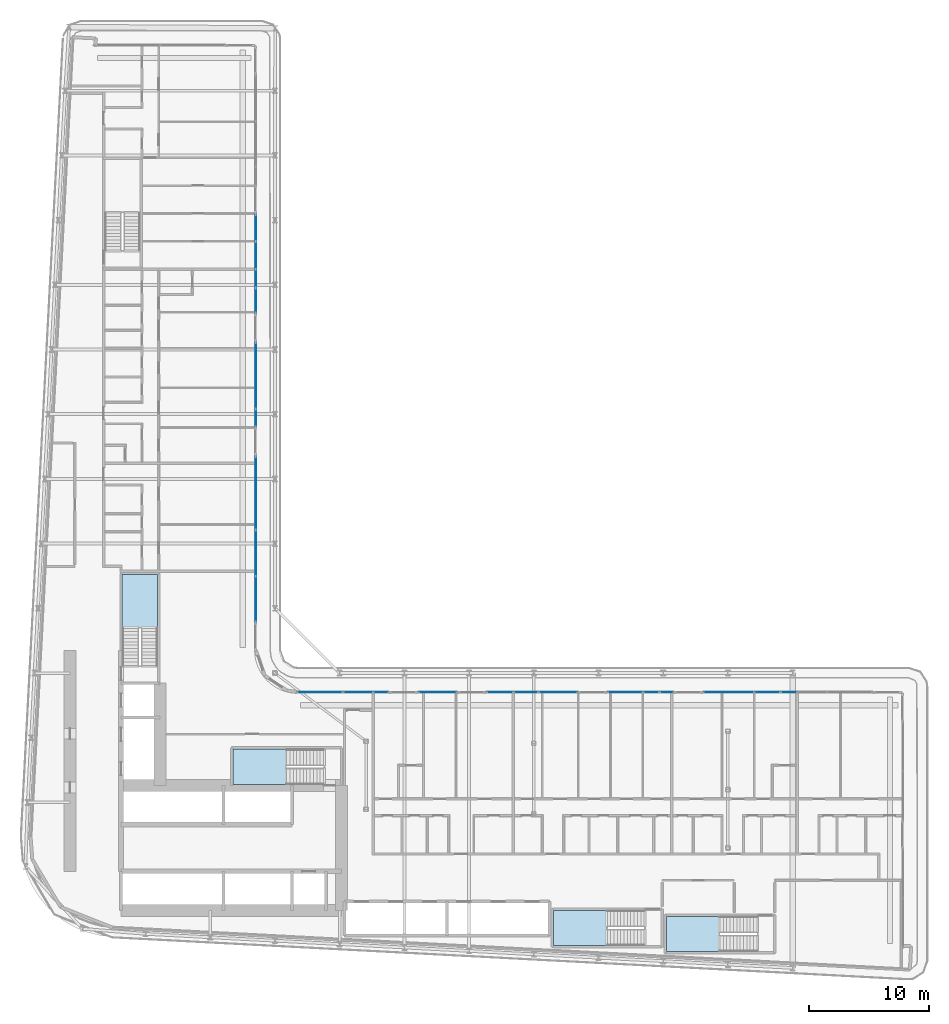
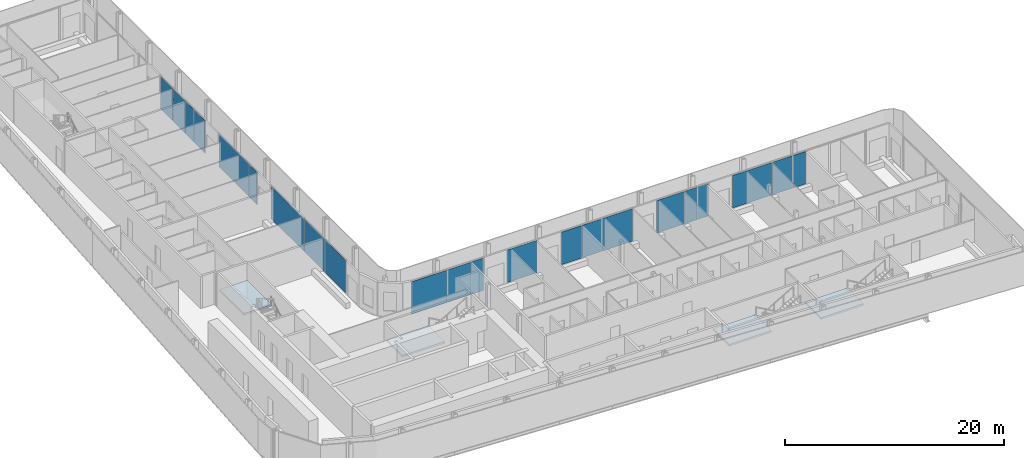
# One storey, part 10 of 28: 22 plates, 4 slabs, 18 elements without a shape of their own.
"""IFC4 building model written with IfcOpenShell, lengths in metres."""

from ifc_helpers import new_model, si_unit, direction, frame, origin, origin_2d, place, context, subcontext, project, spatial, polyline, rectangle, outline, extrude, material, layer, layer_set, type_object, element, aggregate, save


model = new_model("IFC4")

# Units and contexts
model_context = context("Model", 3, precision=1e-05, world=origin(), true_north=direction((0.0, 1.0)))
body_context = subcontext(model_context, "Body", "Model", "MODEL_VIEW")
ifc_project = project(units=[si_unit("LENGTHUNIT", "METRE"), si_unit("AREAUNIT", "SQUARE_METRE"), si_unit("VOLUMEUNIT", "CUBIC_METRE"), si_unit("PLANEANGLEUNIT", "RADIAN"), si_unit("MASSUNIT", "GRAM", prefix="KILO")], contexts=[model_context])

# Site, building, storey
site_placement = place(None, origin())
site = spatial("IfcSite", under=ifc_project, at=site_placement, CompositionType="ELEMENT")
building_placement = place(site_placement, origin())
building = spatial("IfcBuilding", under=site, at=building_placement, Name="Kheshtan School and Residences Tower", CompositionType="ELEMENT")
storey_placement = place(building_placement, frame((0.0, 0.0, 77.300048828125)))
storey = spatial("IfcBuildingStorey", under=building, at=storey_placement, Name="L18", CompositionType="ELEMENT", Elevation=77.300048828125)

# Curtain wall, plates
ifc_material_1 = material(Name="Clear low-e glass in thermally broken aluminium frame", Category="aluminium")
ifc_layer_1 = layer(ifc_material_1, 0.199951171875)
ifc_layer_set_1 = layer_set([ifc_layer_1], Name="Curtain wall CW-L")
curtain_wall_type = type_object("IfcCurtainWallType", Name="Curtain wall CW-L", PredefinedType="NOTDEFINED", material=ifc_layer_set_1)
curtain_wall_1_placement = place(storey_placement, origin())
curtain_wall_1 = element("IfcCurtainWall", 1, at=curtain_wall_1_placement, inside=storey, type_object=curtain_wall_type, Name="Curtain wall CWL8b", PredefinedType="NOTDEFINED")
ifc_layer_2 = layer(ifc_material_1, 0.031982421875)
ifc_layer_set_2 = layer_set([ifc_layer_2], Name="CW-L glass panel")
plate_type = type_object("IfcPlateType", Name="CW-L glass panel", PredefinedType="CURTAIN_PANEL", material=ifc_layer_set_2)
plate_1_placement = place(storey_placement, frame((46.0, 82.75048828125, 0.0), z_axis=(0.0, 0.0, 1.0), x_axis=(0.0, -1.0, 0.0)))
plate_1 = element("IfcPlate", 2, at=plate_1_placement, type_object=plate_type, Name="CWL8b panel 1.1", PredefinedType="CURTAIN_PANEL", context=body_context, shape_type="SweptSolid", body=[
    extrude(rectangle(XDim=2.19091796875, YDim=0.031982421875, at=origin_2d()), origin(), (0.0, 0.0, 1.0), 3.6298828125),
])
plate_2_placement = place(storey_placement, frame((46.0, 80.46240234375, 0.0), z_axis=(0.0, 0.0, 1.0), x_axis=(0.0, -1.0, 0.0)))
plate_2 = element("IfcPlate", 3, at=plate_2_placement, type_object=plate_type, Name="CWL8b panel 2.1", PredefinedType="CURTAIN_PANEL", context=body_context, shape_type="SweptSolid", body=[
    extrude(rectangle(XDim=2.264892578125, YDim=0.031982421875, at=origin_2d()), origin(), (0.0, 0.0, 1.0), 3.6298828125),
])
plate_3_placement = place(storey_placement, frame((46.0, 78.52099609375, 0.0), z_axis=(0.0, 0.0, 1.0), x_axis=(0.0, -1.0, 0.0)))
plate_3 = element("IfcPlate", 4, at=plate_3_placement, type_object=plate_type, Name="CWL8b panel 3.1", PredefinedType="CURTAIN_PANEL", context=body_context, shape_type="SweptSolid", body=[
    extrude(rectangle(XDim=1.498046875, YDim=0.031982421875, at=origin_2d()), origin(), (0.0, 0.0, 1.0), 3.6298828125),
])
aggregate(curtain_wall_1, [plate_1, plate_2, plate_3])

# Curtain wall, plate
curtain_wall_2_placement = place(storey_placement, origin())
curtain_wall_2 = element("IfcCurtainWall", 5, at=curtain_wall_2_placement, inside=storey, type_object=curtain_wall_type, Name="Curtain wall CWL8i", PredefinedType="NOTDEFINED")
plate_4_placement = place(storey_placement, frame((46.0, 76.69189453125, 0.0), z_axis=(0.0, 0.0, 1.0), x_axis=(0.0, -1.0, 0.0)))
plate_4 = element("IfcPlate", 6, at=plate_4_placement, type_object=plate_type, Name="CWL8i panel 1.1", PredefinedType="CURTAIN_PANEL", context=body_context, shape_type="SweptSolid", body=[
    extrude(rectangle(XDim=2.0400390625, YDim=0.031982421875, at=origin_2d()), origin(), (0.0, 0.0, 1.0), 3.6298828125),
])
aggregate(curtain_wall_2, [plate_4])

curtain_wall_3_placement = place(storey_placement, origin())
curtain_wall_3 = element("IfcCurtainWall", 7, at=curtain_wall_3_placement, inside=storey, type_object=curtain_wall_type, Name="Curtain wall CWL8j", PredefinedType="NOTDEFINED")
plate_5_placement = place(storey_placement, frame((46.0, 70.4150390625, 0.0), z_axis=(0.0, 0.0, 1.0), x_axis=(0.0, -1.0, 0.0)))
plate_5 = element("IfcPlate", 8, at=plate_5_placement, type_object=plate_type, Name="CWL8j panel 1.1", PredefinedType="CURTAIN_PANEL", context=body_context, shape_type="SweptSolid", body=[
    extrude(rectangle(XDim=5.47412109375, YDim=0.031982421875, at=origin_2d()), origin(), (0.0, 0.0, 1.0), 3.6298828125),
])
aggregate(curtain_wall_3, [plate_5])

curtain_wall_4_placement = place(storey_placement, origin())
curtain_wall_4 = element("IfcCurtainWall", 9, at=curtain_wall_4_placement, inside=storey, type_object=curtain_wall_type, Name="Curtain wall CWL8a", PredefinedType="NOTDEFINED")
plate_6_placement = place(storey_placement, frame((46.0, 66.89794921875, 0.0), z_axis=(0.0, 0.0, 1.0), x_axis=(0.0, -1.0, 0.0)))
plate_6 = element("IfcPlate", 10, at=plate_6_placement, type_object=plate_type, Name="CWL8a panel 1.1", PredefinedType="CURTAIN_PANEL", context=body_context, shape_type="SweptSolid", body=[
    extrude(rectangle(XDim=1.43994140625, YDim=0.031982421875, at=origin_2d()), origin(), (0.0, 0.0, 1.0), 3.6298828125),
])
aggregate(curtain_wall_4, [plate_6])

curtain_wall_5_placement = place(storey_placement, origin())
curtain_wall_5 = element("IfcCurtainWall", 11, at=curtain_wall_5_placement, inside=storey, type_object=curtain_wall_type, Name="Curtain wall CWL8d", PredefinedType="NOTDEFINED")
plate_7_placement = place(storey_placement, frame((46.0, 60.62109375, 0.0), z_axis=(0.0, 0.0, 1.0), x_axis=(0.0, -1.0, 0.0)))
plate_7 = element("IfcPlate", 12, at=plate_7_placement, type_object=plate_type, Name="CWL8d panel 1.1", PredefinedType="CURTAIN_PANEL", context=body_context, shape_type="SweptSolid", body=[
    extrude(rectangle(XDim=6.073974609375, YDim=0.031982421875, at=origin_2d()), origin(), (0.0, 0.0, 1.0), 3.6298828125),
])
aggregate(curtain_wall_5, [plate_7])

# Curtain wall, plates
curtain_wall_6_placement = place(storey_placement, origin())
curtain_wall_6 = element("IfcCurtainWall", 13, at=curtain_wall_6_placement, inside=storey, type_object=curtain_wall_type, Name="Curtain wall CWL8", PredefinedType="NOTDEFINED")
plate_8_placement = place(storey_placement, frame((46.0, 55.615478515625, 0.0), z_axis=(0.0, 0.0, 1.0), x_axis=(0.0, -1.0, 0.0)))
plate_8 = element("IfcPlate", 14, at=plate_8_placement, type_object=plate_type, Name="CWL8 panel 1.1", PredefinedType="CURTAIN_PANEL", context=body_context, shape_type="SweptSolid", body=[
    extrude(rectangle(XDim=3.81689453125, YDim=0.031982421875, at=origin_2d()), origin(), (0.0, 0.0, 1.0), 3.6298828125),
])
plate_9_placement = place(storey_placement, frame((46.0, 51.7685546875, 0.0), z_axis=(0.0, 0.0, 1.0), x_axis=(0.0, -1.0, 0.0)))
plate_9 = element("IfcPlate", 15, at=plate_9_placement, type_object=plate_type, Name="CWL8 panel 2.1", PredefinedType="CURTAIN_PANEL", context=body_context, shape_type="SweptSolid", body=[
    extrude(rectangle(XDim=3.757080078125, YDim=0.031982421875, at=origin_2d()), origin(), (0.0, 0.0, 1.0), 3.6298828125),
])
aggregate(curtain_wall_6, [plate_8, plate_9])

curtain_wall_7_placement = place(storey_placement, origin())
curtain_wall_7 = element("IfcCurtainWall", 16, at=curtain_wall_7_placement, inside=storey, type_object=curtain_wall_type, Name="Curtain wall CWL12k", PredefinedType="NOTDEFINED")
plate_10_placement = place(storey_placement, frame((51.368408203125, 44.0, 0.0), z_axis=(0.0, 0.0, 1.0), x_axis=(1.0, 0.0, 0.0)))
plate_10 = element("IfcPlate", 17, at=plate_10_placement, type_object=plate_type, Name="CWL12k panel 1.1", PredefinedType="CURTAIN_PANEL", context=body_context, shape_type="SweptSolid", body=[
    extrude(rectangle(XDim=3.757080078125, YDim=0.031982421875, at=origin_2d()), origin(), (0.0, 0.0, 1.0), 3.6298828125),
])
plate_11_placement = place(storey_placement, frame((54.53857421875, 44.0, 0.0), z_axis=(0.0, 0.0, 1.0), x_axis=(1.0, 0.0, 0.0)))
plate_11 = element("IfcPlate", 18, at=plate_11_placement, type_object=plate_type, Name="CWL12k panel 2.1", PredefinedType="CURTAIN_PANEL", context=body_context, shape_type="SweptSolid", body=[
    extrude(rectangle(XDim=2.462890625, YDim=0.031982421875, at=origin_2d()), origin(), (0.0, 0.0, 1.0), 3.6298828125),
])
plate_12_placement = place(storey_placement, frame((56.447021484375, 44.0, 0.0), z_axis=(0.0, 0.0, 1.0), x_axis=(1.0, 0.0, 0.0)))
plate_12 = element("IfcPlate", 19, at=plate_12_placement, type_object=plate_type, Name="CWL12k panel 3.1", PredefinedType="CURTAIN_PANEL", context=body_context, shape_type="SweptSolid", body=[
    extrude(rectangle(XDim=1.23388671875, YDim=0.031982421875, at=origin_2d()), origin(), (0.0, 0.0, 1.0), 3.6298828125),
])
aggregate(curtain_wall_7, [plate_10, plate_11, plate_12])

# Curtain wall, plate
curtain_wall_8_placement = place(storey_placement, origin())
curtain_wall_8 = element("IfcCurtainWall", 20, at=curtain_wall_8_placement, inside=storey, type_object=curtain_wall_type, Name="Curtain wall CWL12n", PredefinedType="NOTDEFINED")
plate_13_placement = place(storey_placement, frame((61.174072265625, 44.0, 0.0), z_axis=(0.0, 0.0, 1.0), x_axis=(1.0, 0.0, 0.0)))
plate_13 = element("IfcPlate", 21, at=plate_13_placement, type_object=plate_type, Name="CWL12n panel 1.1", PredefinedType="CURTAIN_PANEL", context=body_context, shape_type="SweptSolid", body=[
    extrude(rectangle(XDim=3.179931640625, YDim=0.031982421875, at=origin_2d()), origin(), (0.0, 0.0, 1.0), 3.6298828125),
])
aggregate(curtain_wall_8, [plate_13])

# Curtain wall, plates
curtain_wall_9_placement = place(storey_placement, origin())
curtain_wall_9 = element("IfcCurtainWall", 22, at=curtain_wall_9_placement, inside=storey, type_object=curtain_wall_type, Name="Curtain wall CWL12o", PredefinedType="NOTDEFINED")
plate_14_placement = place(storey_placement, frame((66.376953125, 44.0, 0.0), z_axis=(0.0, 0.0, 1.0), x_axis=(1.0, 0.0, 0.0)))
plate_14 = element("IfcPlate", 23, at=plate_14_placement, type_object=plate_type, Name="CWL12o panel 1.1", PredefinedType="CURTAIN_PANEL", context=body_context, shape_type="SweptSolid", body=[
    extrude(rectangle(XDim=2.18603515625, YDim=0.031982421875, at=origin_2d()), origin(), (0.0, 0.0, 1.0), 3.6298828125),
])
plate_15_placement = place(storey_placement, frame((68.5439453125, 44.0, 0.0), z_axis=(0.0, 0.0, 1.0), x_axis=(1.0, 0.0, 0.0)))
plate_15 = element("IfcPlate", 24, at=plate_15_placement, type_object=plate_type, Name="CWL12o panel 2.1", PredefinedType="CURTAIN_PANEL", context=body_context, shape_type="SweptSolid", body=[
    extrude(rectangle(XDim=2.028076171875, YDim=0.031982421875, at=origin_2d()), origin(), (0.0, 0.0, 1.0), 3.6298828125),
])
aggregate(curtain_wall_9, [plate_14, plate_15])

# Curtain wall, plate
curtain_wall_10_placement = place(storey_placement, origin())
curtain_wall_10 = element("IfcCurtainWall", 25, at=curtain_wall_10_placement, inside=storey, type_object=curtain_wall_type, Name="Curtain wall CWL12n", PredefinedType="NOTDEFINED")
plate_16_placement = place(storey_placement, frame((71.238037109375, 44.0, 0.0), z_axis=(0.0, 0.0, 1.0), x_axis=(1.0, 0.0, 0.0)))
plate_16 = element("IfcPlate", 26, at=plate_16_placement, type_object=plate_type, Name="CWL12n panel 1.1", PredefinedType="CURTAIN_PANEL", context=body_context, shape_type="SweptSolid", body=[
    extrude(rectangle(XDim=3.239990234375, YDim=0.031982421875, at=origin_2d()), origin(), (0.0, 0.0, 1.0), 3.6298828125),
])
aggregate(curtain_wall_10, [plate_16])

# Curtain wall, plates
curtain_wall_11_placement = place(storey_placement, origin())
curtain_wall_11 = element("IfcCurtainWall", 27, at=curtain_wall_11_placement, inside=storey, type_object=curtain_wall_type, Name="Curtain wall CWL12o", PredefinedType="NOTDEFINED")
plate_17_placement = place(storey_placement, frame((76.823974609375, 44.0, 0.0), z_axis=(0.0, 0.0, 1.0), x_axis=(1.0, 0.0, 0.0)))
plate_17 = element("IfcPlate", 28, at=plate_17_placement, type_object=plate_type, Name="CWL12o panel 1.1", PredefinedType="CURTAIN_PANEL", context=body_context, shape_type="SweptSolid", body=[
    extrude(rectangle(XDim=2.89208984375, YDim=0.031982421875, at=origin_2d()), origin(), (0.0, 0.0, 1.0), 3.6298828125),
])
plate_18_placement = place(storey_placement, frame((78.990966796875, 44.0, 0.0), z_axis=(0.0, 0.0, 1.0), x_axis=(1.0, 0.0, 0.0)))
plate_18 = element("IfcPlate", 29, at=plate_18_placement, type_object=plate_type, Name="CWL12o panel 2.1", PredefinedType="CURTAIN_PANEL", context=body_context, shape_type="SweptSolid", body=[
    extrude(rectangle(XDim=1.322021484375, YDim=0.031982421875, at=origin_2d()), origin(), (0.0, 0.0, 1.0), 3.6298828125),
])
aggregate(curtain_wall_11, [plate_17, plate_18])

# Curtain wall, plate
curtain_wall_12_placement = place(storey_placement, origin())
curtain_wall_12 = element("IfcCurtainWall", 30, at=curtain_wall_12_placement, inside=storey, type_object=curtain_wall_type, Name="Curtain wall CWL12b", PredefinedType="NOTDEFINED")
plate_19_placement = place(storey_placement, frame((80.281982421875, 44.0, 0.0), z_axis=(0.0, 0.0, 1.0), x_axis=(1.0, 0.0, 0.0)))
plate_19 = element("IfcPlate", 31, at=plate_19_placement, type_object=plate_type, Name="CWL12b panel 1.1", PredefinedType="CURTAIN_PANEL", context=body_context, shape_type="SweptSolid", body=[
    extrude(rectangle(XDim=1.139892578125, YDim=0.031982421875, at=origin_2d()), origin(), (0.0, 0.0, 1.0), 3.6298828125),
])
aggregate(curtain_wall_12, [plate_19])

# Curtain wall, plates
curtain_wall_13_placement = place(storey_placement, origin())
curtain_wall_13 = element("IfcCurtainWall", 32, at=curtain_wall_13_placement, inside=storey, type_object=curtain_wall_type, Name="Curtain wall CWL12p", PredefinedType="NOTDEFINED")
plate_20_placement = place(storey_placement, frame((85.470947265625, 44.0, 0.0), z_axis=(0.0, 0.0, 1.0), x_axis=(1.0, 0.0, 0.0)))
plate_20 = element("IfcPlate", 33, at=plate_20_placement, type_object=plate_type, Name="CWL12p panel 1.1", PredefinedType="CURTAIN_PANEL", context=body_context, shape_type="SweptSolid", body=[
    extrude(rectangle(XDim=4.197998046875, YDim=0.031982421875, at=origin_2d()), origin(), (0.0, 0.0, 1.0), 3.6298828125),
])
plate_21_placement = place(storey_placement, frame((88.68798828125, 44.0, 0.0), z_axis=(0.0, 0.0, 1.0), x_axis=(1.0, 0.0, 0.0)))
plate_21 = element("IfcPlate", 34, at=plate_21_placement, type_object=plate_type, Name="CWL12p panel 2.1", PredefinedType="CURTAIN_PANEL", context=body_context, shape_type="SweptSolid", body=[
    extrude(rectangle(XDim=2.115966796875, YDim=0.031982421875, at=origin_2d()), origin(), (0.0, 0.0, 1.0), 3.6298828125),
])
aggregate(curtain_wall_13, [plate_20, plate_21])

# Curtain wall, plate
curtain_wall_14_placement = place(storey_placement, origin())
curtain_wall_14 = element("IfcCurtainWall", 35, at=curtain_wall_14_placement, inside=storey, type_object=curtain_wall_type, Name="Curtain wall CWL12k", PredefinedType="NOTDEFINED")
plate_22_placement = place(storey_placement, frame((90.488037109375, 44.0, 0.0), z_axis=(0.0, 0.0, 1.0), x_axis=(1.0, 0.0, 0.0)))
plate_22 = element("IfcPlate", 36, at=plate_22_placement, type_object=plate_type, Name="CWL12k panel 1.1", PredefinedType="CURTAIN_PANEL", context=body_context, shape_type="SweptSolid", body=[
    extrude(rectangle(XDim=1.364013671875, YDim=0.031982421875, at=origin_2d()), origin(), (0.0, 0.0, 1.0), 3.6298828125),
])
aggregate(curtain_wall_14, [plate_22])

# Stair, slab
ifc_material_2 = material(Name="Concrete C40/50", Category="concrete")
stair_type = type_object("IfcStairType", Name="Exit stair, half-turn", PredefinedType="HALF_TURN_STAIR", material=ifc_material_2)
stair_1_placement = place(storey_placement, origin())
stair_1 = element("IfcStair", 37, at=stair_1_placement, inside=storey, type_object=stair_type, Name="L18 Protected Exit Stair ST1", PredefinedType="HALF_TURN_STAIR")
ifc_layer_3 = layer(ifc_material_2, 0.199951171875)
ifc_layer_set_3 = layer_set([ifc_layer_3], Name="Stair landing 200 Concrete C40/50")
slab_type = type_object("IfcSlabType", Name="Stair landing 200 Concrete C40/50", PredefinedType="LANDING", material=ifc_layer_set_3)
slab_1_placement = place(storey_placement, frame((0.0, 0.0, 1.75)))
slab_1 = element("IfcSlab", 38, at=slab_1_placement, type_object=slab_type, Name="ST1 landing 1", PredefinedType="LANDING", context=body_context, shape_type="SweptSolid", body=[
    extrude(outline(polyline([(48.570068359375, 39.25), (44.090087890625, 39.25), (44.090087890625, 36.300048828125), (48.570068359375, 36.300048828125), (48.570068359375, 39.25)])), origin(), (0.0, 0.0, 1.0), 0.199951171875),
])
aggregate(stair_1, [slab_1])

stair_2_placement = place(storey_placement, origin())
stair_2 = element("IfcStair", 39, at=stair_2_placement, inside=storey, type_object=stair_type, Name="L18 Protected Exit Stair ST2", PredefinedType="HALF_TURN_STAIR")
slab_2_placement = place(storey_placement, frame((0.0, 0.0, 1.75)))
slab_2 = element("IfcSlab", 40, at=slab_2_placement, type_object=slab_type, Name="ST2 landing 1", PredefinedType="LANDING", context=body_context, shape_type="SweptSolid", body=[
    extrude(outline(polyline([(37.800048828125, 49.330078125), (37.800048828125, 53.81005859375), (34.85009765625, 53.81005859375), (34.85009765625, 49.330078125), (37.800048828125, 49.330078125)])), origin(), (0.0, 0.0, 1.0), 0.199951171875),
])
aggregate(stair_2, [slab_2])

stair_3_placement = place(storey_placement, origin())
stair_3 = element("IfcStair", 41, at=stair_3_placement, inside=storey, type_object=stair_type, Name="L18 Protected Exit Stair ST4", PredefinedType="HALF_TURN_STAIR")
slab_3_placement = place(storey_placement, frame((0.0, 0.0, 1.75)))
slab_3 = element("IfcSlab", 42, at=slab_3_placement, type_object=slab_type, Name="ST4 landing 1", PredefinedType="LANDING", context=body_context, shape_type="SweptSolid", body=[
    extrude(outline(polyline([(84.739990234375, 25.300048828125), (80.260009765625, 25.300048828125), (80.260009765625, 22.35009765625), (84.739990234375, 22.35009765625), (84.739990234375, 25.300048828125)])), origin(), (0.0, 0.0, 1.0), 0.199951171875),
])
aggregate(stair_3, [slab_3])

stair_4_placement = place(storey_placement, origin())
stair_4 = element("IfcStair", 43, at=stair_4_placement, inside=storey, type_object=stair_type, Name="L18 Protected Exit Stair ST5", PredefinedType="HALF_TURN_STAIR")
slab_4_placement = place(storey_placement, frame((0.0, 0.0, 1.75)))
slab_4 = element("IfcSlab", 44, at=slab_4_placement, type_object=slab_type, Name="ST5 landing 1", PredefinedType="LANDING", context=body_context, shape_type="SweptSolid", body=[
    extrude(outline(polyline([(75.330078125, 25.800048828125), (70.85009765625, 25.800048828125), (70.85009765625, 22.85009765625), (75.330078125, 22.85009765625), (75.330078125, 25.800048828125)])), origin(), (0.0, 0.0, 1.0), 0.199951171875),
])
aggregate(stair_4, [slab_4])

save(model, "model.ifc")
